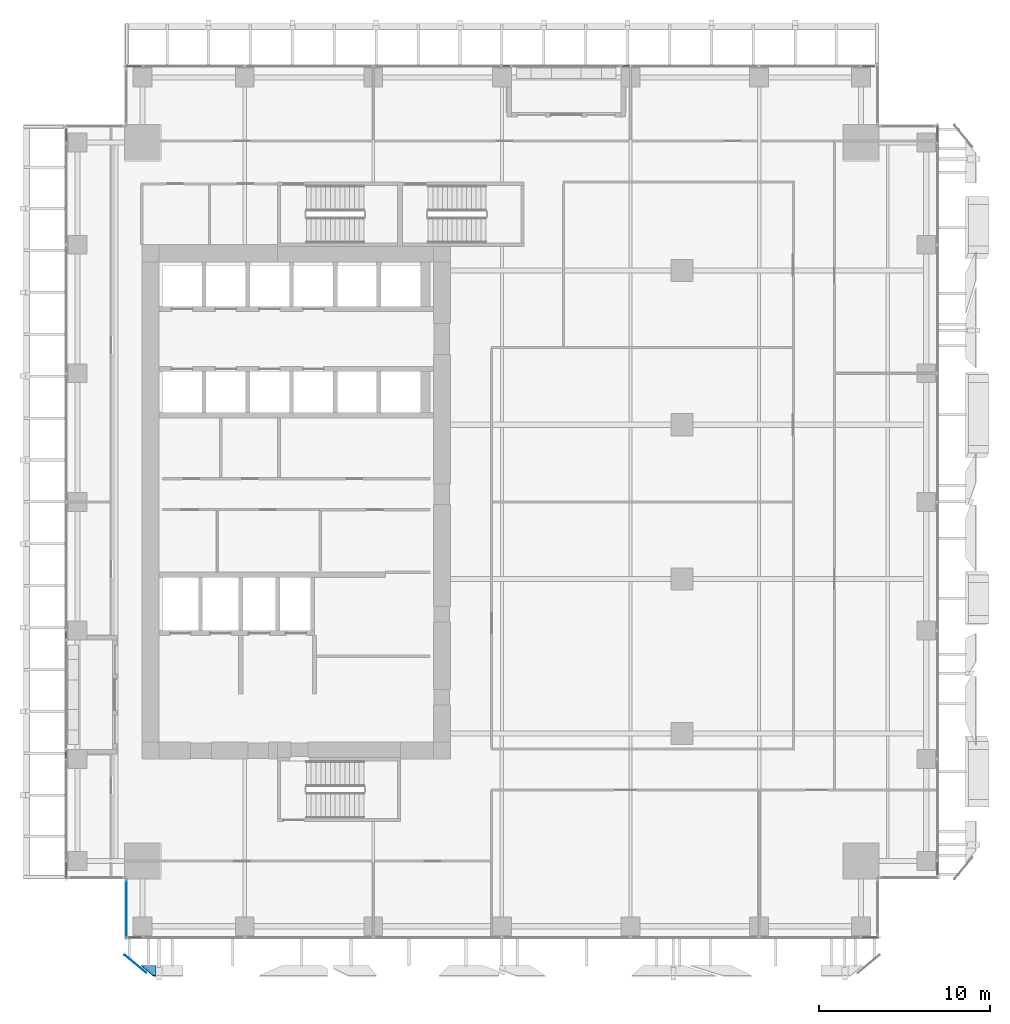
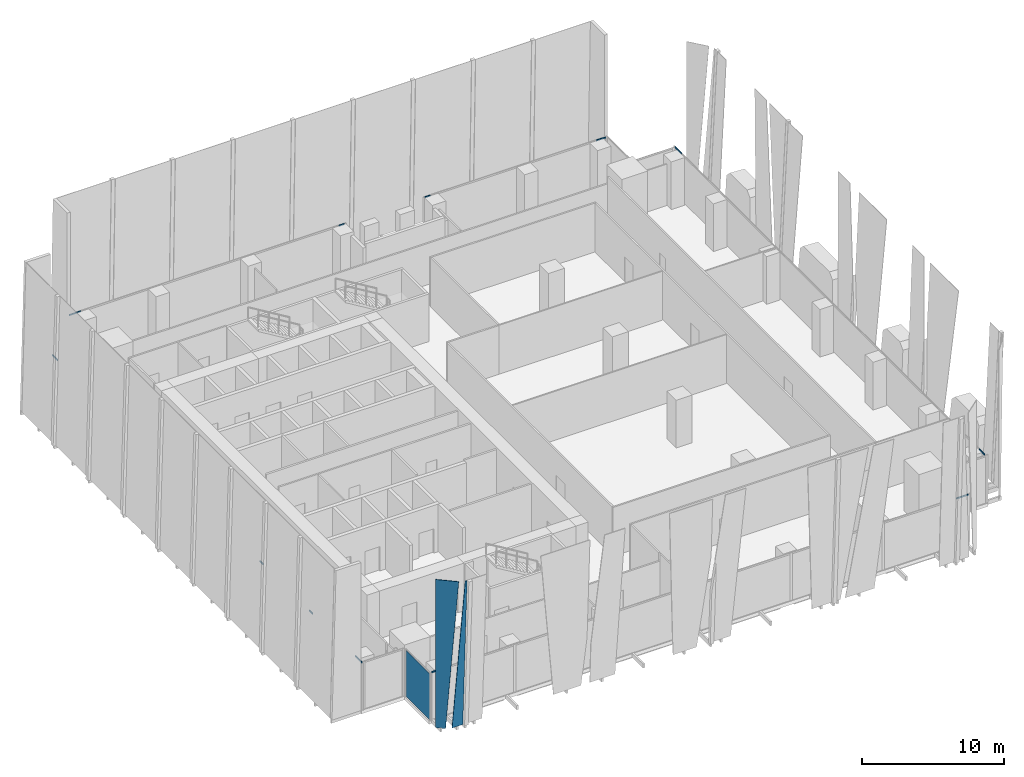
# One storey, part 20 of 34: 12 members, 3 plates, 7 elements without a shape of their own.
"""IFC4 building model written with IfcOpenShell, lengths in metres."""

from ifc_helpers import new_model, si_unit, direction, frame, origin, origin_2d, place, context, subcontext, project, spatial, polyline, rectangle, hollow_rectangle, outline, extrude, source, transform, mapped, material, layer, layer_set, material_profile, profile_set, type_object, element, aggregate, save


model = new_model("IFC4")

# Units and contexts
model_context = context("Model", 3, precision=1e-05, world=origin(), true_north=direction((0.0, 1.0)))
body_context = subcontext(model_context, "Body", "Model", "MODEL_VIEW")
ifc_project = project(units=[si_unit("LENGTHUNIT", "METRE"), si_unit("AREAUNIT", "SQUARE_METRE"), si_unit("VOLUMEUNIT", "CUBIC_METRE"), si_unit("PLANEANGLEUNIT", "RADIAN"), si_unit("MASSUNIT", "GRAM", prefix="KILO")], contexts=[model_context])

# Site, building, storey
site_placement = place(None, origin())
site = spatial("IfcSite", under=ifc_project, at=site_placement, CompositionType="ELEMENT")
building_placement = place(site_placement, origin())
building = spatial("IfcBuilding", under=site, at=building_placement, Name="Khomas Fold Tower", CompositionType="ELEMENT")
storey_placement = place(building_placement, frame((0.0, 0.0, 114.699951171875)))
storey = spatial("IfcBuildingStorey", under=building, at=storey_placement, Name="L24", CompositionType="ELEMENT", Elevation=114.699951171875)

# Curtain wall, member
ifc_material_1 = material(Name="Aluminium framed double glazing", Category="aluminium")
curtain_wall_type = type_object("IfcCurtainWallType", Name="SK-Unitised clear-glass wall, growing floors CW1", PredefinedType="NOTDEFINED", material=ifc_material_1)
curtain_wall_1_placement = place(storey_placement, origin())
curtain_wall_1 = element("IfcCurtainWall", 1, at=curtain_wall_1_placement, inside=storey, type_object=curtain_wall_type, Name="CW1 run L24 00-0", PredefinedType="NOTDEFINED")
ifc_material_2 = material(Name="Aluminium", Category="aluminium")
ifc_material_profile = material_profile(ifc_material_2, hollow_rectangle(XDim=0.06005859375, YDim=0.1201171875, WallThickness=0.00390625, at=origin_2d()), Name="SK-Unitised clear-glass wall, growing floors transom CW1-T")
ifc_profile_set = profile_set([ifc_material_profile], Name="Aluminium")
member_type = type_object("IfcMemberType", Name="SK-Unitised clear-glass wall, growing floors transom CW1-T", PredefinedType="USERDEFINED", material=ifc_profile_set)
shared_shape_1 = source(origin(), body_context, "Body", "SweptSolid", [
    extrude(hollow_rectangle(XDim=0.06005859375, YDim=0.1201171875, WallThickness=0.00390625, at=origin_2d()), origin(), (0.0, 0.0, 1.0), 0.760009765625),
])
member_1_placement = place(storey_placement, frame((5.260009765625, 1.60009765625, 4.0400390625), z_axis=(1.0, 0.0, 0.0), x_axis=(0.0, 1.0, 0.0)))
member_1 = element("IfcMember", 2, at=member_1_placement, type_object=member_type, Name="CW1 transom 1", ObjectType="TRANSOM", PredefinedType="USERDEFINED", context=body_context, shape_type="MappedRepresentation", body=[
    mapped(shared_shape_1, transform((0.0, 0.0, 0.0))),
])

curtain_wall_2_placement = place(storey_placement, origin())
curtain_wall_2 = element("IfcCurtainWall", 3, at=curtain_wall_2_placement, inside=storey, type_object=curtain_wall_type, Name="CW1 run L24 03-0", PredefinedType="NOTDEFINED")
member_2_placement = place(storey_placement, frame((52.39990234375, 5.260009765625, 4.0400390625), z_axis=(0.0, 1.0, 0.0), x_axis=(-1.0, 0.0, 0.0)))
member_2 = element("IfcMember", 4, at=member_2_placement, type_object=member_type, Name="CW1 transom 1", ObjectType="TRANSOM", PredefinedType="USERDEFINED", context=body_context, shape_type="MappedRepresentation", body=[
    mapped(shared_shape_1, transform((0.0, 0.0, 0.0))),
])

curtain_wall_3_placement = place(storey_placement, origin())
curtain_wall_3 = element("IfcCurtainWall", 5, at=curtain_wall_3_placement, inside=storey, type_object=curtain_wall_type, Name="CW1 run L24 06-0", PredefinedType="NOTDEFINED")
member_3_placement = place(storey_placement, frame((48.739990234375, 52.39990234375, 4.0400390625), z_axis=(-1.0, 0.0, 0.0), x_axis=(0.0, -1.0, 0.0)))
member_3 = element("IfcMember", 6, at=member_3_placement, type_object=member_type, Name="CW1 transom 1", ObjectType="TRANSOM", PredefinedType="USERDEFINED", context=body_context, shape_type="MappedRepresentation", body=[
    mapped(shared_shape_1, transform((0.0, 0.0, 0.0))),
])

curtain_wall_4_placement = place(storey_placement, origin())
curtain_wall_4 = element("IfcCurtainWall", 7, at=curtain_wall_4_placement, inside=storey, type_object=curtain_wall_type, Name="CW1 run L24 09-0", PredefinedType="NOTDEFINED")
member_4_placement = place(storey_placement, frame((1.60009765625, 48.739990234375, 4.0400390625), z_axis=(0.0, -1.0, 0.0), x_axis=(1.0, 0.0, 0.0)))
member_4 = element("IfcMember", 8, at=member_4_placement, type_object=member_type, Name="CW1 transom 1", ObjectType="TRANSOM", PredefinedType="USERDEFINED", context=body_context, shape_type="MappedRepresentation", body=[
    mapped(shared_shape_1, transform((0.0, 0.0, 0.0))),
])

# Member
shared_shape_2 = source(origin(), body_context, "Body", "SweptSolid", [
    extrude(hollow_rectangle(XDim=0.06005859375, YDim=0.1201171875, WallThickness=0.00390625, at=origin_2d()), origin(), (0.0, 0.0, 1.0), 0.9599609375),
])
member_5_placement = place(storey_placement, frame((47.97998046875, 1.60009765625, 4.0400390625), z_axis=(1.0, 0.0, 0.0), x_axis=(0.0, 1.0, 0.0)))
member_5 = element("IfcMember", 9, at=member_5_placement, type_object=member_type, Name="CW1 transom 8", ObjectType="TRANSOM", PredefinedType="USERDEFINED", context=body_context, shape_type="MappedRepresentation", body=[
    mapped(shared_shape_2, transform((0.0, 0.0, 0.0))),
])

aggregate(curtain_wall_1, [member_1, member_5])

member_6_placement = place(storey_placement, frame((52.39990234375, 47.97998046875, 4.0400390625), z_axis=(0.0, 1.0, 0.0), x_axis=(-1.0, 0.0, 0.0)))
member_6 = element("IfcMember", 10, at=member_6_placement, type_object=member_type, Name="CW1 transom 8", ObjectType="TRANSOM", PredefinedType="USERDEFINED", context=body_context, shape_type="MappedRepresentation", body=[
    mapped(shared_shape_2, transform((0.0, 0.0, 0.0))),
])

aggregate(curtain_wall_2, [member_2, member_6])

# Curtain wall, member
curtain_wall_5_placement = place(storey_placement, origin())
curtain_wall_5 = element("IfcCurtainWall", 11, at=curtain_wall_5_placement, inside=storey, type_object=curtain_wall_type, Name="CW1 run L24 06-1", PredefinedType="NOTDEFINED")
member_7_placement = place(storey_placement, frame((6.02001953125, 52.39990234375, 4.0400390625), z_axis=(-1.0, 0.0, 0.0), x_axis=(0.0, -1.0, 0.0)))
member_7 = element("IfcMember", 12, at=member_7_placement, type_object=member_type, Name="CW1 transom 5", ObjectType="TRANSOM", PredefinedType="USERDEFINED", context=body_context, shape_type="MappedRepresentation", body=[
    mapped(shared_shape_2, transform((0.0, 0.0, 0.0))),
])

curtain_wall_6_placement = place(storey_placement, origin())
curtain_wall_6 = element("IfcCurtainWall", 13, at=curtain_wall_6_placement, inside=storey, type_object=curtain_wall_type, Name="CW1 run L24 09-1", PredefinedType="NOTDEFINED")
member_8_placement = place(storey_placement, frame((1.60009765625, 6.02001953125, 4.0400390625), z_axis=(0.0, -1.0, 0.0), x_axis=(1.0, 0.0, 0.0)))
member_8 = element("IfcMember", 14, at=member_8_placement, type_object=member_type, Name="CW1 transom 3", ObjectType="TRANSOM", PredefinedType="USERDEFINED", context=body_context, shape_type="MappedRepresentation", body=[
    mapped(shared_shape_2, transform((0.0, 0.0, 0.0))),
])

# Member
shared_shape_3 = source(origin(), body_context, "Body", "SweptSolid", [
    extrude(hollow_rectangle(XDim=0.06005859375, YDim=0.1201171875, WallThickness=0.00390625, at=origin_2d()), origin(), (0.0, 0.0, 1.0), 0.4599609375),
])
member_9_placement = place(storey_placement, frame((34.469970703125, 52.39990234375, 4.0400390625), z_axis=(-1.0, 0.0, 0.0), x_axis=(0.0, -1.0, 0.0)))
member_9 = element("IfcMember", 15, at=member_9_placement, type_object=member_type, Name="CW1 transom 4", ObjectType="TRANSOM", PredefinedType="USERDEFINED", context=body_context, shape_type="MappedRepresentation", body=[
    mapped(shared_shape_3, transform((0.0, 0.0, 0.0))),
])

aggregate(curtain_wall_3, [member_3, member_9])

member_10_placement = place(storey_placement, frame((27.489990234375, 52.39990234375, 4.0400390625), z_axis=(-1.0, 0.0, 0.0), x_axis=(0.0, -1.0, 0.0)))
member_10 = element("IfcMember", 16, at=member_10_placement, type_object=member_type, Name="CW1 transom 1", ObjectType="TRANSOM", PredefinedType="USERDEFINED", context=body_context, shape_type="MappedRepresentation", body=[
    mapped(shared_shape_3, transform((0.0, 0.0, 0.0))),
])

aggregate(curtain_wall_5, [member_10, member_7])

member_11_placement = place(storey_placement, frame((1.60009765625, 19.469970703125, 4.0400390625), z_axis=(0.0, -1.0, 0.0), x_axis=(1.0, 0.0, 0.0)))
member_11 = element("IfcMember", 17, at=member_11_placement, type_object=member_type, Name="CW1 transom 6", ObjectType="TRANSOM", PredefinedType="USERDEFINED", context=body_context, shape_type="MappedRepresentation", body=[
    mapped(shared_shape_3, transform((0.0, 0.0, 0.0))),
])

aggregate(curtain_wall_4, [member_4, member_11])

member_12_placement = place(storey_placement, frame((1.60009765625, 12.489990234375, 4.0400390625), z_axis=(0.0, -1.0, 0.0), x_axis=(1.0, 0.0, 0.0)))
member_12 = element("IfcMember", 18, at=member_12_placement, type_object=member_type, Name="CW1 transom 1", ObjectType="TRANSOM", PredefinedType="USERDEFINED", context=body_context, shape_type="MappedRepresentation", body=[
    mapped(shared_shape_3, transform((0.0, 0.0, 0.0))),
])

aggregate(curtain_wall_6, [member_12, member_8])

# Plates
ifc_material_3 = material(Name="Clear laminated glass", Category="glass")
ifc_layer_1 = layer(ifc_material_3, 0.0400390625)
ifc_layer_set_1 = layer_set([ifc_layer_1], Name="Clear laminated glass")
plate_type_1 = type_object("IfcPlateType", Name="SK-Clear laminated glass leaf", PredefinedType="SHEET", material=ifc_layer_set_1)
plate_1_placement = place(storey_placement, frame((5.9521484375, -0.026611328125, 0.0), z_axis=(0.0, 0.998875266546, 0.047415207295), x_axis=(0.056810177127, -0.047338631629, 0.997262080764)))
element("IfcPlate", 19, at=plate_1_placement, inside=storey, type_object=plate_type_1, Name="OUTER SKIN glass L24 SG098-1", PredefinedType="SHEET", context=body_context, shape_type="SweptSolid", body=[
    extrude(outline(polyline([(0.0, 0.0), (12.78500430922721, 0.0), (12.793617375632431, 0.15136647549218307), (0.049875341051813044, 0.8765118290980521), (0.0, 0.0)])), origin(), (0.0, 0.0, -1.0), 0.0400390625),
])
plate_2_placement = place(storey_placement, frame((5.52587890625, 0.109619140625, 0.0), z_axis=(-0.64023481775, -0.768179261714, 3.65917e-06), x_axis=(-0.768179261719, 0.640234817754, 2.38e-10)))
element("IfcPlate", 20, at=plate_2_placement, inside=storey, type_object=plate_type_1, Name="OUTER SKIN glass L24 SG098-4", PredefinedType="SHEET", context=body_context, shape_type="SweptSolid", body=[
    extrude(outline(polyline([(0.0, 0.0), (0.7179880649547179, 0.0), (0.7179880679862933, -12.749999999914643), (-0.9454285655296739, -12.75000000048087), (0.0, 0.0)])), origin(), (0.0, 0.0, -1.0), 0.0400390625),
])

# Curtain wall, plate
curtain_wall_7_placement = place(storey_placement, origin())
curtain_wall_7 = element("IfcCurtainWall", 21, at=curtain_wall_7_placement, inside=storey, type_object=curtain_wall_type, Name="CW1 corner return L24 11", PredefinedType="NOTDEFINED")
ifc_material_4 = material(Name="Clear double glazed unit")
ifc_layer_2 = layer(ifc_material_4, 0.031982421875)
ifc_layer_set_2 = layer_set([ifc_layer_2], Name="Clear double glazed unit")
plate_type_2 = type_object("IfcPlateType", Name="SK-Unitised clear-glass wall, growing floors glass panel CW1-P", PredefinedType="CURTAIN_PANEL", material=ifc_layer_set_2)
shared_shape_4 = source(origin(), body_context, "Body", "SweptSolid", [
    extrude(rectangle(XDim=3.3798828125, YDim=0.031982421875, at=origin_2d()), origin(), (0.0, 0.0, 1.0), 3.97998046875),
])
plate_3_placement = place(storey_placement, frame((5.10009765625, 3.25, 0.0), z_axis=(0.0, 0.0, 1.0), x_axis=(0.0, -1.0, 0.0)))
plate_3 = element("IfcPlate", 22, at=plate_3_placement, type_object=plate_type_2, Name="CW1 glass panel 1", PredefinedType="CURTAIN_PANEL", context=body_context, shape_type="MappedRepresentation", body=[
    mapped(shared_shape_4, transform((0.0, 0.0, 0.0))),
])
aggregate(curtain_wall_7, [plate_3])

save(model, "model.ifc")
